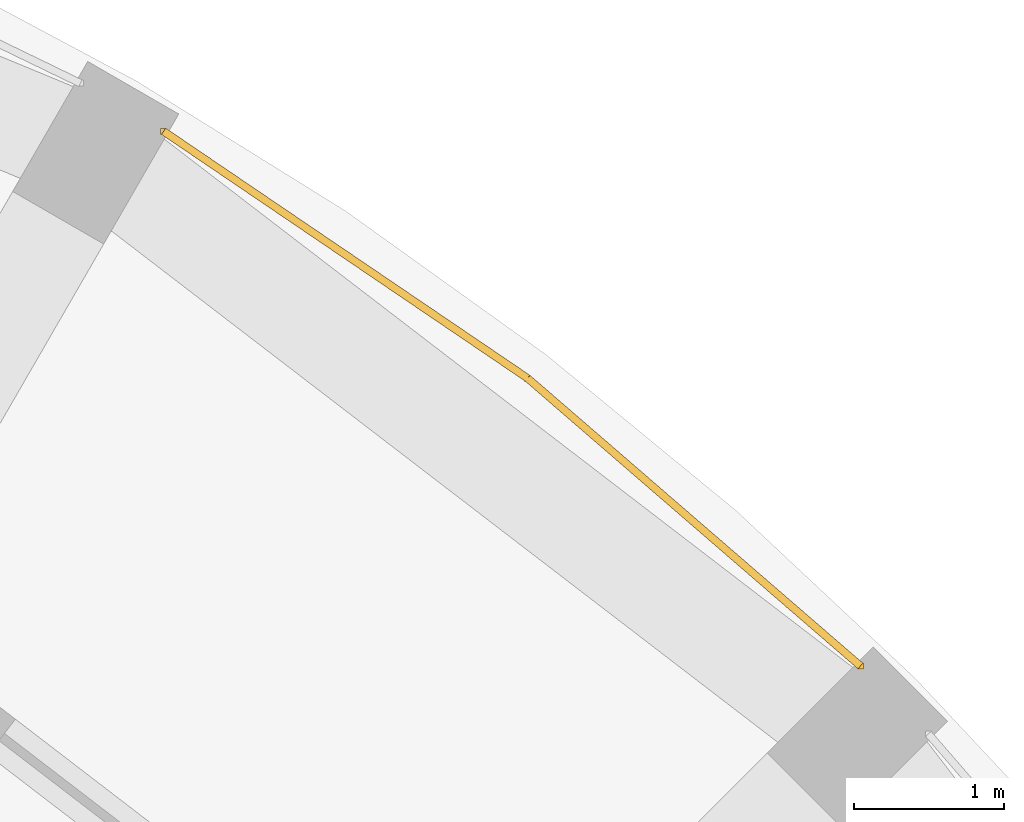
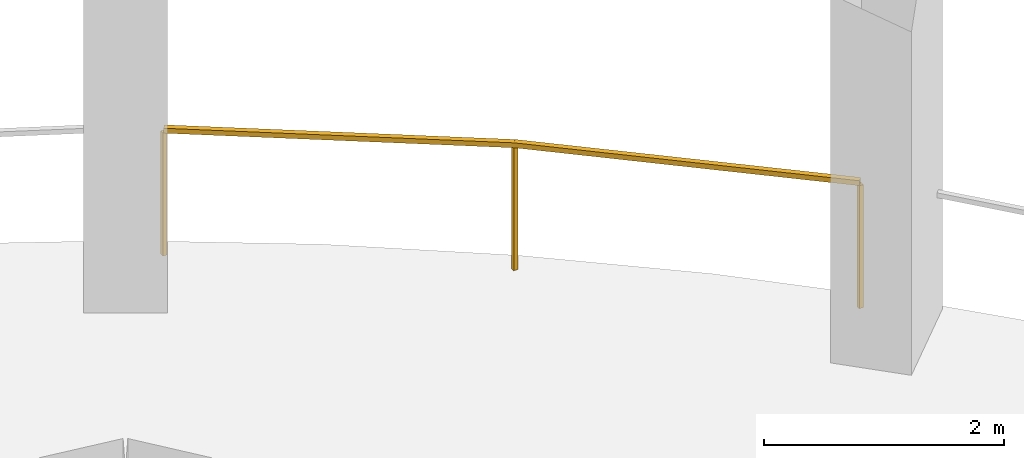
# One storey, part 8 of 8: 1 railing.
"""IFC4 building model written with IfcOpenShell, lengths in metres."""

from ifc_helpers import new_model, si_unit, direction, frame, origin, origin_2d, place, context, subcontext, project, spatial, rectangle, extrude, material, type_object, element, save


model = new_model("IFC4")

# Units and contexts
model_context = context("Model", 3, precision=1e-05, world=origin(), true_north=direction((0.0, 1.0)))
body_context = subcontext(model_context, "Body", "Model", "MODEL_VIEW")
ifc_project = project(units=[si_unit("LENGTHUNIT", "METRE"), si_unit("AREAUNIT", "SQUARE_METRE"), si_unit("VOLUMEUNIT", "CUBIC_METRE"), si_unit("PLANEANGLEUNIT", "RADIAN"), si_unit("MASSUNIT", "GRAM", prefix="KILO")], contexts=[model_context])

# Site, building, storey
site_placement = place(None, origin())
site = spatial("IfcSite", under=ifc_project, at=site_placement, CompositionType="ELEMENT")
building_placement = place(site_placement, origin())
building = spatial("IfcBuilding", under=site, at=building_placement, Name="Torre Triforio", CompositionType="ELEMENT")
storey_placement = place(building_placement, frame((0.0, 0.0, 131.39990234375)))
storey = spatial("IfcBuildingStorey", under=building, at=storey_placement, Name="L29", CompositionType="ELEMENT", Elevation=131.39990234375)

# Railing
ifc_material = material(Name="Stainless steel AISI 316", Category="steel")
railing_type = type_object("IfcRailingType", Name="Loggia guard 1300", PredefinedType="GUARDRAIL", material=ifc_material)
railing_placement = place(storey_placement, frame((17.34521484375, 17.7978515625, 0.0)))
element("IfcRailing", 1, at=railing_placement, inside=storey, type_object=railing_type, Name="Loggia guard L29 bay 04", PredefinedType="GUARDRAIL", context=body_context, shape_type="SweptSolid", body=[
    extrude(rectangle(XDim=0.050048828125, YDim=0.050048828125, at=origin_2d()), frame((0.0, 0.0, 1.27490234375), z_axis=(-0.756510170049, 0.653981928353, 0.0), x_axis=(-0.653981928353, -0.756510170049, 0.0)), (0.0, 0.0, 1.0), 2.93115234375),
    extrude(rectangle(XDim=0.050048828125, YDim=0.050048828125, at=origin_2d()), frame((-2.217529296875, 1.9169921875, 1.27490234375), z_axis=(-0.827499269821, 0.561466791934, 0.0), x_axis=(-0.561466791934, -0.827499269821, 0.0)), (0.0, 0.0, 1.0), 2.93115234375),
    extrude(rectangle(XDim=0.0400390625, YDim=0.0400390625, at=origin_2d()), origin(), (0.0, 0.0, 1.0), 1.25),
    extrude(rectangle(XDim=0.0400390625, YDim=0.0400390625, at=origin_2d()), frame((-2.217529296875, 1.9169921875, 0.0)), (0.0, 0.0, 1.0), 1.25),
    extrude(rectangle(XDim=0.0400390625, YDim=0.0400390625, at=origin_2d()), frame((-4.64306640625, 3.562744140625, 0.0)), (0.0, 0.0, 1.0), 1.25),
])

save(model, "model.ifc")
